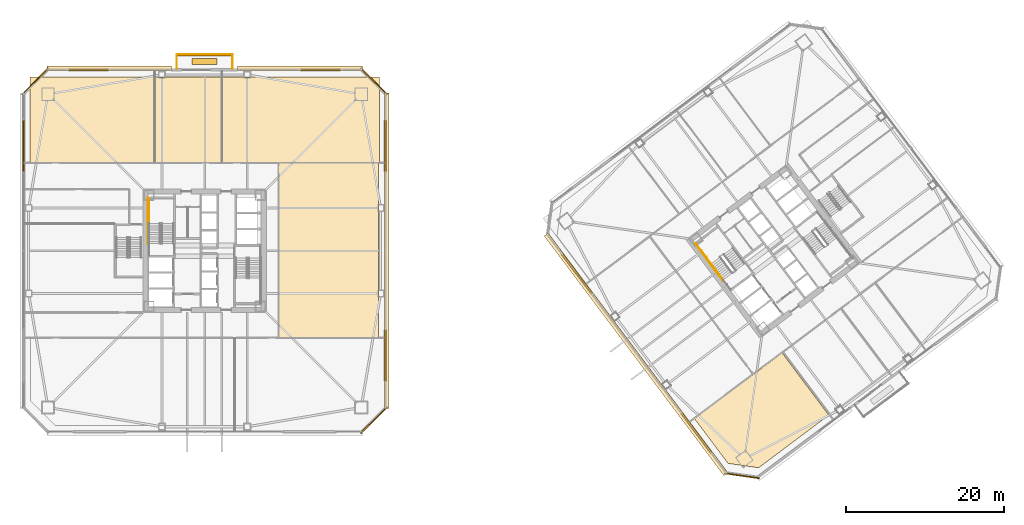
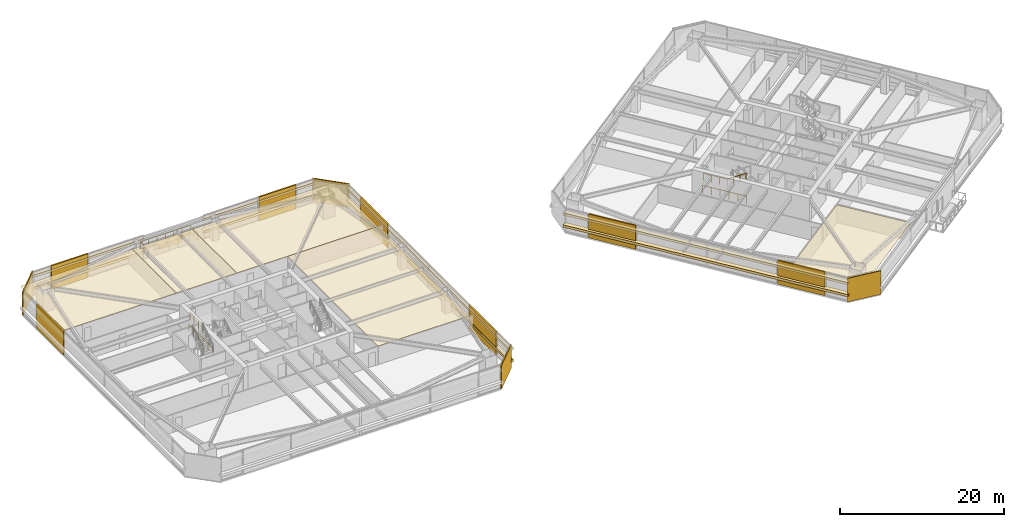
# One storey, part 44 of 48: 26 coverings, 8 railings.
"""IFC4 building model written with IfcOpenShell, lengths in metres."""

from ifc_helpers import new_model, si_unit, direction, frame, origin, origin_2d, place, context, subcontext, project, spatial, polyline, rectangle, outline, extrude, material, layer, layer_set, type_object, element, save


model = new_model("IFC4")

# Units and contexts
model_context = context("Model", 3, precision=1e-05, world=origin(), true_north=direction((0.0, 1.0)))
body_context = subcontext(model_context, "Body", "Model", "MODEL_VIEW")
ifc_project = project(units=[si_unit("LENGTHUNIT", "METRE"), si_unit("AREAUNIT", "SQUARE_METRE"), si_unit("VOLUMEUNIT", "CUBIC_METRE"), si_unit("PLANEANGLEUNIT", "RADIAN"), si_unit("MASSUNIT", "GRAM", prefix="KILO")], contexts=[model_context])

# Site, building, storey
site_placement = place(None, origin())
site = spatial("IfcSite", under=ifc_project, at=site_placement, CompositionType="ELEMENT")
building_placement = place(site_placement, origin())
building = spatial("IfcBuilding", under=site, at=building_placement, Name="Tashvorn Skyway Center", CompositionType="ELEMENT")
storey_placement = place(building_placement, frame((0.0, 0.0, 53.0)))
storey = spatial("IfcBuildingStorey", under=building, at=storey_placement, Name="L13", CompositionType="ELEMENT", Elevation=53.0)

# Coverings
ifc_material_1 = material(Name="Precast concrete C40/50", Category="concrete")
ifc_layer_1 = layer(ifc_material_1, 0.199951171875)
ifc_layer_set_1 = layer_set([ifc_layer_1], Name="Precast concrete C40/50")
covering_type_1 = type_object("IfcCoveringType", Name="COV-BRACE-CLAD", PredefinedType="CLADDING", material=ifc_layer_set_1)
covering_1_placement = place(storey_placement, frame((19.1201171875, 45.25341796875, 0.0), z_axis=(0.0, 0.0, 1.0), x_axis=(0.0, 1.0, 0.0)))
element("IfcCovering", 1, at=covering_1_placement, inside=storey, type_object=covering_type_1, Name="Tower 1 L13 West Unitised Curtain Wall Mega-Brace Cladding Band 2", PredefinedType="CLADDING", context=body_context, shape_type="SweptSolid", body=[
    extrude(rectangle(XDim=6.626708984375, YDim=0.199951171875, at=origin_2d()), origin(), (0.0, 0.0, 1.0), 3.550048828125),
])
for number, where, z_axis, x_axis, name in (
    (2, (27.330078125, 54.8798828125, 0.0), (0.0, 0.0, 1.0), (1.0, 0.0, 0.0), "Tower 1 L13 North Curtain Wall L Mega-Brace Cladding Band 1"),
    (3, (56.669921875, 54.8798828125, 0.0), (0.0, 0.0, 1.0), (1.0, 0.0, 0.0), "Tower 1 L13 North Curtain Wall R Mega-Brace Cladding Band 1"),
):
    element("IfcCovering", number, at=place(storey_placement, frame(where, z_axis=z_axis, x_axis=x_axis)), inside=storey, type_object=covering_type_1, Name=name, PredefinedType="CLADDING", context=body_context, shape_type="SweptSolid", body=[
        extrude(rectangle(XDim=5.2099609375, YDim=0.199951171875, at=origin_2d()), origin(), (0.0, 0.0, 1.0), 3.550048828125),
    ])
for number, where, z_axis, x_axis, name in (
    (4, (64.8798828125, 45.25341796875, 0.0), (0.0, 0.0, 1.0), (0.0, -1.0, 0.0), "Tower 1 L13 East Unitised Curtain Wall Mega-Brace Cladding Band 1"),
    (5, (64.8798828125, 18.74658203125, 0.0), (0.0, 0.0, 1.0), (0.0, -1.0, 0.0), "Tower 1 L13 East Unitised Curtain Wall Mega-Brace Cladding Band 2"),
):
    element("IfcCovering", number, at=place(storey_placement, frame(where, z_axis=z_axis, x_axis=x_axis)), inside=storey, type_object=covering_type_1, Name=name, PredefinedType="CLADDING", context=body_context, shape_type="SweptSolid", body=[
        extrude(rectangle(XDim=6.626708984375, YDim=0.199951171875, at=origin_2d()), origin(), (0.0, 0.0, 1.0), 3.550048828125),
    ])
for number, where, z_axis, x_axis, name in (
    (6, (104.2080078125, 8.922607421875, 0.0), (0.0, 0.0, 1.0), (-0.600000004945, 0.799999996291, 0.0), "Tower 2 L13 West Unitised Curtain Wall Mega-Brace Cladding Band 1"),
    (7, (89.10400390625, 29.061279296875, 0.0), (0.0, 0.0, 1.0), (-0.600000004945, 0.799999996291, 0.0), "Tower 2 L13 West Unitised Curtain Wall Mega-Brace Cladding Band 2"),
):
    element("IfcCovering", number, at=place(storey_placement, frame(where, z_axis=z_axis, x_axis=x_axis)), inside=storey, type_object=covering_type_1, Name=name, PredefinedType="CLADDING", context=body_context, shape_type="SweptSolid", body=[
        extrude(rectangle(XDim=6.29345703125, YDim=0.199951171875, at=origin_2d()), origin(), (0.0, 0.0, 1.0), 3.550048828125),
    ])
ifc_material_2 = material(Name="Mineral-fibre acoustic ceiling tile on suspended grid")
ifc_layer_2 = layer(ifc_material_2, 0.02001953125)
ifc_layer_set_2 = layer_set([ifc_layer_2], Name="Mineral-fibre acoustic ceiling tile on suspended grid")
covering_type_2 = type_object("IfcCoveringType", Name="COV-CEIL-20", PredefinedType="CEILING", material=ifc_layer_set_2)
covering_2_placement = place(storey_placement, frame((0.0, 0.0, 2.68310546875)))
element("IfcCovering", 8, at=covering_2_placement, inside=storey, type_object=covering_type_2, Name="Tower 1 L13 Executive Study Lounge Acoustic Ceiling", PredefinedType="CEILING", context=body_context, shape_type="SweptSolid", body=[
    extrude(outline(polyline([(19.89990234375, 43.14990234375), (35.699951171875, 43.14990234375), (35.699951171875, 54.0), (19.89990234375, 54.0), (19.89990234375, 43.14990234375)])), origin(), (0.0, 0.0, 1.0), 0.019775390625),
])
covering_3_placement = place(storey_placement, frame((0.0, 0.0, 2.68310546875)))
element("IfcCovering", 9, at=covering_3_placement, inside=storey, type_object=covering_type_2, Name="Tower 1 L13 Executive Study Lounge Acoustic Ceiling", PredefinedType="CEILING", context=body_context, shape_type="SweptSolid", body=[
    extrude(outline(polyline([(35.699951171875, 43.14990234375), (44.199951171875, 43.14990234375), (44.199951171875, 54.0), (35.699951171875, 54.0), (35.699951171875, 43.14990234375)])), origin(), (0.0, 0.0, 1.0), 0.019775390625),
])
covering_4_placement = place(storey_placement, frame((0.0, 0.0, 2.68310546875)))
element("IfcCovering", 10, at=covering_4_placement, inside=storey, type_object=covering_type_2, Name="Tower 1 L13 Staff Fitness Club Acoustic Ceiling", PredefinedType="CEILING", context=body_context, shape_type="SweptSolid", body=[
    extrude(outline(polyline([(44.199951171875, 43.14990234375), (64.10009765625, 43.14990234375), (64.10009765625, 54.0), (44.199951171875, 54.0), (44.199951171875, 43.14990234375)])), origin(), (0.0, 0.0, 1.0), 0.019775390625),
])
covering_5_placement = place(storey_placement, frame((0.0, 0.0, 2.68310546875)))
element("IfcCovering", 11, at=covering_5_placement, inside=storey, type_object=covering_type_2, Name="Tower 1 L13 Open Plan Office Acoustic Ceiling", PredefinedType="CEILING", context=body_context, shape_type="SweptSolid", body=[
    extrude(outline(polyline([(51.35009765625, 21.030029296875), (64.0, 21.030029296875), (64.0, 43.14990234375), (51.35009765625, 43.14990234375), (51.35009765625, 21.030029296875)])), origin(), (0.0, 0.0, 1.0), 0.019775390625),
])
covering_6_placement = place(storey_placement, frame((0.0, 0.0, 2.68310546875)))
element("IfcCovering", 12, at=covering_6_placement, inside=storey, type_object=covering_type_2, Name="Tower 2 L13 Gallery Showroom Acoustic Ceiling", PredefinedType="CEILING", context=body_context, shape_type="SweptSolid", body=[
    extrude(outline(polyline([(103.93994140625, 10.780029296875), (115.028076171875, 19.095947265625), (120.931884765625, 11.22412109375), (112.052001953125, 4.56396484375), (108.18798828125, 5.115966796875), (103.93994140625, 10.780029296875)])), origin(), (0.0, 0.0, 1.0), 0.019775390625),
])
ifc_material_3 = material(Name="Perforated ceramic-coated bronze aluminium solar screen", Category="aluminium")
ifc_layer_3 = layer(ifc_material_3, 0.85009765625)
ifc_layer_set_3 = layer_set([ifc_layer_3], Name="Perforated ceramic-coated bronze aluminium solar screen")
covering_type_3 = type_object("IfcCoveringType", Name="COV-SOLAR-BAND", PredefinedType="CLADDING", material=ifc_layer_set_3)
for number, where, z_axis, x_axis, name in (
    (13, (29.93505859375, 55.02001953125, 0.919921875), (0.0, 0.0, 1.0), (1.0, 0.0, 0.0), "L13 Perforated Ceramic-Metal Solar Screen Louvre Band North 1"),
    (14, (29.93505859375, 55.02001953125, 2.7197265625), (0.0, 0.0, 1.0), (1.0, 0.0, 0.0), "L13 Perforated Ceramic-Metal Solar Screen Louvre Band North 2"),
    (15, (54.06494140625, 55.02001953125, 0.919921875), (0.0, 0.0, 1.0), (1.0, 0.0, 0.0), "L13 Perforated Ceramic-Metal Solar Screen Louvre Band North 1"),
    (16, (54.06494140625, 55.02001953125, 2.7197265625), (0.0, 0.0, 1.0), (1.0, 0.0, 0.0), "L13 Perforated Ceramic-Metal Solar Screen Louvre Band North 2"),
):
    element("IfcCovering", number, at=place(storey_placement, frame(where, z_axis=z_axis, x_axis=x_axis)), inside=storey, type_object=covering_type_3, Name=name, PredefinedType="CLADDING", context=body_context, shape_type="SweptSolid", body=[
        extrude(rectangle(XDim=15.75, YDim=0.639892578125, at=origin_2d()), origin(), (0.0, 0.0, 1.0), 0.360107421875),
    ])
for number, where, z_axis, x_axis, name in (
    (17, (65.02001953125, 32.0, 0.919921875), (0.0, 0.0, 1.0), (0.0, -1.0, 0.0), "L13 Perforated Ceramic-Metal Solar Screen Louvre Band East 1"),
    (18, (65.02001953125, 32.0, 2.7197265625), (0.0, 0.0, 1.0), (0.0, -1.0, 0.0), "L13 Perforated Ceramic-Metal Solar Screen Louvre Band East 2"),
):
    element("IfcCovering", number, at=place(storey_placement, frame(where, z_axis=z_axis, x_axis=x_axis)), inside=storey, type_object=covering_type_3, Name=name, PredefinedType="CLADDING", context=body_context, shape_type="SweptSolid", body=[
        extrude(rectangle(XDim=39.8798828125, YDim=0.639892578125, at=origin_2d()), origin(), (0.0, 0.0, 1.0), 0.360107421875),
    ])
for number, where, z_axis, x_axis, name in (
    (19, (96.5439453125, 18.907958984375, 0.919921875), (0.0, 0.0, 1.0), (-0.600000004945, 0.799999996291, 0.0), "L13 Perforated Ceramic-Metal Solar Screen Louvre Band West 1"),
    (20, (96.5439453125, 18.907958984375, 2.7197265625), (0.0, 0.0, 1.0), (-0.600000004945, 0.799999996291, 0.0), "L13 Perforated Ceramic-Metal Solar Screen Louvre Band West 2"),
):
    element("IfcCovering", number, at=place(storey_placement, frame(where, z_axis=z_axis, x_axis=x_axis)), inside=storey, type_object=covering_type_3, Name=name, PredefinedType="CLADDING", context=body_context, shape_type="SweptSolid", body=[
        extrude(rectangle(XDim=37.8798828125, YDim=0.639892578125, at=origin_2d()), origin(), (0.0, 0.0, 1.0), 0.360107421875),
    ])
ifc_layer_4 = layer(ifc_material_1, 0.35009765625)
ifc_layer_set_4 = layer_set([ifc_layer_4], Name="Precast concrete C40/50")
covering_type_4 = type_object("IfcCoveringType", Name="COV-STONE-TRIM", PredefinedType="CLADDING", material=ifc_layer_set_4)
covering_7_placement = place(storey_placement, frame((42.0, 56.760009765625, -0.16015625), z_axis=(0.0, 0.0, 1.0), x_axis=(1.0, 0.0, 0.0)))
element("IfcCovering", 21, at=covering_7_placement, inside=storey, type_object=covering_type_4, Name="Tower 1 L13 Spiral Terrace Terracotta Fascia", PredefinedType="CLADDING", context=body_context, shape_type="SweptSolid", body=[
    extrude(rectangle(XDim=7.199951171875, YDim=0.280029296875, at=origin_2d()), origin(), (0.0, 0.0, 1.0), 0.280029296875),
])
covering_8_placement = place(storey_placement, frame((42.0, 55.949951171875, 0.0), z_axis=(0.0, 0.0, 1.0), x_axis=(1.0, 0.0, 0.0)))
element("IfcCovering", 22, at=covering_8_placement, inside=storey, type_object=covering_type_4, Name="Tower 1 L13 Spiral Terrace Planter", PredefinedType="CLADDING", context=body_context, shape_type="SweptSolid", body=[
    extrude(rectangle(XDim=3.199951171875, YDim=0.75, at=origin_2d()), origin(), (0.0, 0.0, 1.0), 0.679931640625),
])
for number, where, z_axis, x_axis, name in (
    (23, (20.580078125, 53.419921875, 0.02001953125), (0.0, 0.0, 1.0), (-0.707106781187, -0.707106781187, 0.0), "Tower 1 L13 NW Mojave Limestone Corner Quoin"),
    (24, (63.419921875, 53.419921875, 0.02001953125), (0.0, 0.0, 1.0), (0.707106781187, -0.707106781187, 0.0), "Tower 1 L13 NE Mojave Limestone Corner Quoin"),
    (25, (63.419921875, 10.580078125, 0.02001953125), (0.0, 0.0, 1.0), (0.707106781187, 0.707106781187, 0.0), "Tower 1 L13 SE Mojave Limestone Corner Quoin"),
):
    element("IfcCovering", number, at=place(storey_placement, frame(where, z_axis=z_axis, x_axis=x_axis)), inside=storey, type_object=covering_type_4, Name=name, PredefinedType="CLADDING", context=body_context, shape_type="SweptSolid", body=[
        extrude(rectangle(XDim=4.685546875, YDim=0.139892578125, at=origin_2d()), origin(), (0.0, 0.0, 1.0), 3.510009765625),
    ])
covering_9_placement = place(storey_placement, frame((109.93603515625, 3.552001953125, 0.02001953125), z_axis=(0.0, 0.0, 1.0), x_axis=(-0.989949494535, 0.141421350118, 0.0)))
element("IfcCovering", 26, at=covering_9_placement, inside=storey, type_object=covering_type_4, Name="Tower 2 L13 SW Mojave Limestone Corner Quoin", PredefinedType="CLADDING", context=body_context, shape_type="SweptSolid", body=[
    extrude(rectangle(XDim=4.402587890625, YDim=0.139892578125, at=origin_2d()), origin(), (0.0, 0.0, 1.0), 3.510009765625),
])

# Railings
ifc_material_4 = material(Name="Galvanized steel S355", Category="steel")
railing_type_1 = type_object("IfcRailingType", Name="RAIL-GUARD-1120", PredefinedType="GUARDRAIL", material=ifc_material_4)
railing_1_placement = place(storey_placement, frame((38.47998046875, 55.0, 0.0)))
element("IfcRailing", 27, at=railing_1_placement, inside=storey, type_object=railing_type_1, Name="L13 Tower 1 Terrace Guardrail 01", PredefinedType="GUARDRAIL", context=body_context, shape_type="SweptSolid", body=[
    extrude(rectangle(XDim=0.048095703125, YDim=0.048095703125, at=origin_2d()), frame((0.0, 0.0, 1.09619140625), z_axis=(0.0, 1.0, 0.0), x_axis=(-1.0, 0.0, 0.0)), (0.0, 0.0, 1.0), 1.820068359375),
    extrude(rectangle(XDim=0.0419921875, YDim=0.0419921875, at=origin_2d()), origin(), (0.0, 0.0, 1.0), 1.072021484375),
    extrude(rectangle(XDim=0.0419921875, YDim=0.0419921875, at=origin_2d()), frame((0.0, 0.91015625, 0.0)), (0.0, 0.0, 1.0), 1.072021484375),
    extrude(rectangle(XDim=0.0419921875, YDim=0.0419921875, at=origin_2d()), frame((0.0, 1.820068359375, 0.0)), (0.0, 0.0, 1.0), 1.072021484375),
])
railing_2_placement = place(storey_placement, frame((38.47998046875, 56.820068359375, 0.0)))
element("IfcRailing", 28, at=railing_2_placement, inside=storey, type_object=railing_type_1, Name="L13 Tower 1 Terrace Guardrail 02", PredefinedType="GUARDRAIL", context=body_context, shape_type="SweptSolid", body=[
    extrude(rectangle(XDim=0.048095703125, YDim=0.048095703125, at=origin_2d()), frame((0.0, 0.0, 1.09619140625), z_axis=(1.0, 0.0, 0.0), x_axis=(0.0, 1.0, 0.0)), (0.0, 0.0, 1.0), 7.0400390625),
    extrude(rectangle(XDim=0.0419921875, YDim=0.0419921875, at=origin_2d()), origin(), (0.0, 0.0, 1.0), 1.072021484375),
    extrude(rectangle(XDim=0.0419921875, YDim=0.0419921875, at=origin_2d()), frame((1.17333984375, 0.0, 0.0)), (0.0, 0.0, 1.0), 1.072021484375),
    extrude(rectangle(XDim=0.0419921875, YDim=0.0419921875, at=origin_2d()), frame((2.3466796875, 0.0, 0.0)), (0.0, 0.0, 1.0), 1.072021484375),
    extrude(rectangle(XDim=0.0419921875, YDim=0.0419921875, at=origin_2d()), frame((3.52001953125, 0.0, 0.0)), (0.0, 0.0, 1.0), 1.072021484375),
    extrude(rectangle(XDim=0.0419921875, YDim=0.0419921875, at=origin_2d()), frame((4.693359375, 0.0, 0.0)), (0.0, 0.0, 1.0), 1.072021484375),
    extrude(rectangle(XDim=0.0419921875, YDim=0.0419921875, at=origin_2d()), frame((5.86669921875, 0.0, 0.0)), (0.0, 0.0, 1.0), 1.072021484375),
    extrude(rectangle(XDim=0.0419921875, YDim=0.0419921875, at=origin_2d()), frame((7.0400390625, 0.0, 0.0)), (0.0, 0.0, 1.0), 1.072021484375),
])
railing_3_placement = place(storey_placement, frame((45.52001953125, 56.820068359375, 0.0)))
element("IfcRailing", 29, at=railing_3_placement, inside=storey, type_object=railing_type_1, Name="L13 Tower 1 Terrace Guardrail 03", PredefinedType="GUARDRAIL", context=body_context, shape_type="SweptSolid", body=[
    extrude(rectangle(XDim=0.048095703125, YDim=0.048095703125, at=origin_2d()), frame((0.0, 0.0, 1.09619140625), z_axis=(0.0, -1.0, 0.0), x_axis=(1.0, 0.0, 0.0)), (0.0, 0.0, 1.0), 1.820068359375),
    extrude(rectangle(XDim=0.0419921875, YDim=0.0419921875, at=origin_2d()), origin(), (0.0, 0.0, 1.0), 1.072021484375),
    extrude(rectangle(XDim=0.0419921875, YDim=0.0419921875, at=origin_2d()), frame((0.0, -0.91015625, 0.0)), (0.0, 0.0, 1.0), 1.072021484375),
    extrude(rectangle(XDim=0.0419921875, YDim=0.0419921875, at=origin_2d()), frame((0.0, -1.820068359375, 0.0)), (0.0, 0.0, 1.0), 1.072021484375),
])
ifc_material_5 = material(Name="Brushed stainless steel 316", Category="steel")
railing_type_2 = type_object("IfcRailingType", Name="RAIL-HAND-920", PredefinedType="HANDRAIL", material=ifc_material_5)
railing_4_placement = place(storey_placement, frame((106.072021484375, 30.35400390625, 1.952392578125)))
element("IfcRailing", 30, at=railing_4_placement, inside=storey, type_object=railing_type_2, Name="L13 ST-T2-1 stair handrail 2", PredefinedType="HANDRAIL", context=body_context, shape_type="SweptSolid", body=[
    extrude(rectangle(XDim=0.048095703125, YDim=0.048095703125, at=origin_2d()), frame((0.0, 0.0, 0.8759765625), z_axis=(0.506718600913, -0.675679348675, 0.535437836974), x_axis=(0.800023250257, 0.599968998406, 0.0)), (0.0, 0.0, 1.0), 2.98388671875),
    extrude(rectangle(XDim=0.0419921875, YDim=0.0419921875, at=origin_2d()), origin(), (0.0, 0.0, 1.0), 0.851806640625),
    extrude(rectangle(XDim=0.0419921875, YDim=0.0419921875, at=origin_2d()), frame((0.50390625, -0.672119140625, 0.532470703125)), (0.0, 0.0, 1.0), 0.851806640625),
    extrude(rectangle(XDim=0.0419921875, YDim=0.0419921875, at=origin_2d()), frame((1.008056640625, -1.343994140625, 1.065185546875)), (0.0, 0.0, 1.0), 0.851806640625),
    extrude(rectangle(XDim=0.0419921875, YDim=0.0419921875, at=origin_2d()), frame((1.511962890625, -2.01611328125, 1.59765625)), (0.0, 0.0, 1.0), 0.851806640625),
])
ifc_material_6 = material(Name="Painted galvanized steel S355", Category="steel")
railing_type_3 = type_object("IfcRailingType", Name="RAIL-STGUARD-1100", PredefinedType="GUARDRAIL", material=ifc_material_6)
railing_5_placement = place(storey_placement, frame((34.949951171875, 35.43994140625, 1.77490234375)))
element("IfcRailing", 31, at=railing_5_placement, inside=storey, type_object=railing_type_3, Name="L13 ST-T1-1 stair guard 3", PredefinedType="GUARDRAIL", context=body_context, shape_type="SweptSolid", body=[
    extrude(rectangle(XDim=0.048095703125, YDim=0.048095703125, at=origin_2d()), frame((0.0, 0.0, 1.076171875), z_axis=(0.0, 1.0, 0.0), x_axis=(-1.0, 0.0, 0.0)), (0.0, 0.0, 1.0), 3.16015625),
    extrude(rectangle(XDim=0.0419921875, YDim=0.0419921875, at=origin_2d()), origin(), (0.0, 0.0, 1.0), 1.052001953125),
    extrude(rectangle(XDim=0.0419921875, YDim=0.0419921875, at=origin_2d()), frame((0.0, 1.053466796875, 0.0)), (0.0, 0.0, 1.0), 1.052001953125),
    extrude(rectangle(XDim=0.0419921875, YDim=0.0419921875, at=origin_2d()), frame((0.0, 2.106689453125, 0.0)), (0.0, 0.0, 1.0), 1.052001953125),
    extrude(rectangle(XDim=0.0419921875, YDim=0.0419921875, at=origin_2d()), frame((0.0, 3.16015625, 0.0)), (0.0, 0.0, 1.0), 1.052001953125),
])
railing_6_placement = place(storey_placement, frame((34.85009765625, 32.820068359375, 0.0)))
element("IfcRailing", 32, at=railing_6_placement, inside=storey, type_object=railing_type_3, Name="L13 ST-T1-1 stair guard 7", PredefinedType="GUARDRAIL", context=body_context, shape_type="SweptSolid", body=[
    extrude(rectangle(XDim=0.048095703125, YDim=0.048095703125, at=origin_2d()), frame((0.0, 0.0, 1.076171875), z_axis=(0.0, 1.0, 0.0), x_axis=(-1.0, 0.0, 0.0)), (0.0, 0.0, 1.0), 5.8798828125),
    extrude(rectangle(XDim=0.0419921875, YDim=0.0419921875, at=origin_2d()), origin(), (0.0, 0.0, 1.0), 1.052001953125),
    extrude(rectangle(XDim=0.0419921875, YDim=0.0419921875, at=origin_2d()), frame((0.0, 1.176025390625, 0.0)), (0.0, 0.0, 1.0), 1.052001953125),
    extrude(rectangle(XDim=0.0419921875, YDim=0.0419921875, at=origin_2d()), frame((0.0, 2.35205078125, 0.0)), (0.0, 0.0, 1.0), 1.052001953125),
    extrude(rectangle(XDim=0.0419921875, YDim=0.0419921875, at=origin_2d()), frame((0.0, 3.52783203125, 0.0)), (0.0, 0.0, 1.0), 1.052001953125),
    extrude(rectangle(XDim=0.0419921875, YDim=0.0419921875, at=origin_2d()), frame((0.0, 4.703857421875, 0.0)), (0.0, 0.0, 1.0), 1.052001953125),
    extrude(rectangle(XDim=0.0419921875, YDim=0.0419921875, at=origin_2d()), frame((0.0, 5.8798828125, 0.0)), (0.0, 0.0, 1.0), 1.052001953125),
])
railing_7_placement = place(storey_placement, frame((106.072021484375, 30.35400390625, 1.77490234375)))
element("IfcRailing", 33, at=railing_7_placement, inside=storey, type_object=railing_type_3, Name="L13 ST-T2-1 stair guard 3", PredefinedType="GUARDRAIL", context=body_context, shape_type="SweptSolid", body=[
    extrude(rectangle(XDim=0.048095703125, YDim=0.048095703125, at=origin_2d()), frame((0.0, 0.0, 1.076171875), z_axis=(-0.599987638607, 0.800009270896, 0.0), x_axis=(-0.800009270896, -0.599987638607, 0.0)), (0.0, 0.0, 1.0), 3.16015625),
    extrude(rectangle(XDim=0.0419921875, YDim=0.0419921875, at=origin_2d()), origin(), (0.0, 0.0, 1.0), 1.052001953125),
    extrude(rectangle(XDim=0.0419921875, YDim=0.0419921875, at=origin_2d()), frame((-0.632080078125, 0.8427734375, 0.0)), (0.0, 0.0, 1.0), 1.052001953125),
    extrude(rectangle(XDim=0.0419921875, YDim=0.0419921875, at=origin_2d()), frame((-1.263916015625, 1.685302734375, 0.0)), (0.0, 0.0, 1.0), 1.052001953125),
    extrude(rectangle(XDim=0.0419921875, YDim=0.0419921875, at=origin_2d()), frame((-1.89599609375, 2.528076171875, 0.0)), (0.0, 0.0, 1.0), 1.052001953125),
])
railing_8_placement = place(storey_placement, frame((107.56396484375, 28.197998046875, 0.0)))
element("IfcRailing", 34, at=railing_8_placement, inside=storey, type_object=railing_type_3, Name="L13 ST-T2-1 stair guard 7", PredefinedType="GUARDRAIL", context=body_context, shape_type="SweptSolid", body=[
    extrude(rectangle(XDim=0.048095703125, YDim=0.048095703125, at=origin_2d()), frame((0.0, 0.0, 1.076171875), z_axis=(-0.6, 0.8, 0.0), x_axis=(-0.8, -0.6, 0.0)), (0.0, 0.0, 1.0), 5.880126953125),
    extrude(rectangle(XDim=0.0419921875, YDim=0.0419921875, at=origin_2d()), origin(), (0.0, 0.0, 1.0), 1.052001953125),
    extrude(rectangle(XDim=0.0419921875, YDim=0.0419921875, at=origin_2d()), frame((-0.70556640625, 0.94091796875, 0.0)), (0.0, 0.0, 1.0), 1.052001953125),
    extrude(rectangle(XDim=0.0419921875, YDim=0.0419921875, at=origin_2d()), frame((-1.4111328125, 1.881591796875, 0.0)), (0.0, 0.0, 1.0), 1.052001953125),
    extrude(rectangle(XDim=0.0419921875, YDim=0.0419921875, at=origin_2d()), frame((-2.116943359375, 2.822509765625, 0.0)), (0.0, 0.0, 1.0), 1.052001953125),
    extrude(rectangle(XDim=0.0419921875, YDim=0.0419921875, at=origin_2d()), frame((-2.822509765625, 3.76318359375, 0.0)), (0.0, 0.0, 1.0), 1.052001953125),
    extrude(rectangle(XDim=0.0419921875, YDim=0.0419921875, at=origin_2d()), frame((-3.528076171875, 4.7041015625, 0.0)), (0.0, 0.0, 1.0), 1.052001953125),
])

save(model, "model.ifc")
